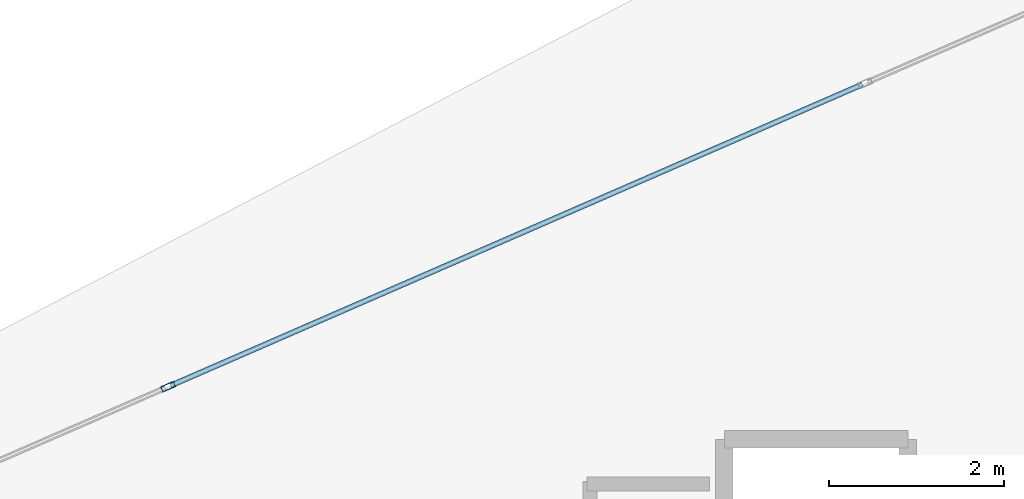
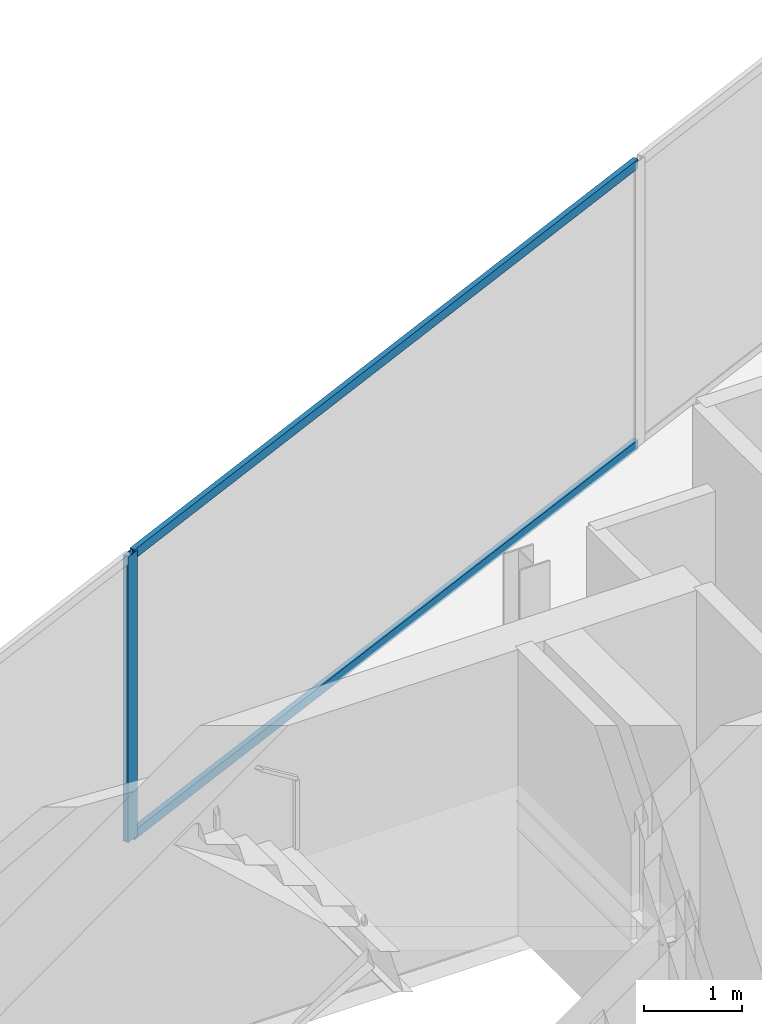
# One storey, part 10 of 14: 3 members, 1 element without a shape of its own.
"""IFC4 building model written with IfcOpenShell, lengths in metres."""

from ifc_helpers import new_model, si_unit, direction, frame, origin, origin_2d, place, context, subcontext, project, spatial, hollow_rectangle, extrude, material, layer, layer_set, material_profile, profile_set, type_object, element, aggregate, save


model = new_model("IFC4")

# Units and contexts
model_context = context("Model", 3, precision=1e-05, world=origin(), true_north=direction((0.0, 1.0)))
body_context = subcontext(model_context, "Body", "Model", "MODEL_VIEW")
ifc_project = project(units=[si_unit("LENGTHUNIT", "METRE"), si_unit("AREAUNIT", "SQUARE_METRE"), si_unit("VOLUMEUNIT", "CUBIC_METRE"), si_unit("PLANEANGLEUNIT", "RADIAN"), si_unit("MASSUNIT", "GRAM", prefix="KILO")], contexts=[model_context])

# Site, building, storey
site_placement = place(None, origin())
site = spatial("IfcSite", under=ifc_project, at=site_placement, CompositionType="ELEMENT")
building_placement = place(site_placement, origin())
building = spatial("IfcBuilding", under=site, at=building_placement, Name="Qianvela Tower", CompositionType="ELEMENT")
storey_placement = place(building_placement, frame((0.0, 0.0, 356.300048828125)))
storey = spatial("IfcBuildingStorey", under=building, at=storey_placement, Name="L92", CompositionType="ELEMENT", Elevation=356.300048828125)

# Curtain wall, members
ifc_material_1 = material(Name="Anodised Architectural Aluminium and Low-E Glass", Category="aluminium")
ifc_layer = layer(ifc_material_1, 0.159912109375)
ifc_layer_set = layer_set([ifc_layer], Name="Anodised Architectural Aluminium and Low-E Glass")
curtain_wall_type = type_object("IfcCurtainWallType", Name="CW-CROWN", PredefinedType="USERDEFINED", material=ifc_layer_set)
curtain_wall_placement = place(storey_placement, origin())
curtain_wall = element("IfcCurtainWall", 1, at=curtain_wall_placement, inside=storey, type_object=curtain_wall_type, Name="L92 CW-CROWN Curtain Wall 02", ObjectType="CURTAIN_WALL_SYSTEM", PredefinedType="USERDEFINED")
ifc_material_2 = material(Name="Anodised Architectural Aluminium 6063-T6", Category="aluminium")
ifc_material_profile_1 = material_profile(ifc_material_2, hollow_rectangle(XDim=0.06494140625, YDim=0.159912109375, WallThickness=0.0048828125, at=origin_2d()), Name="ALU-MULL-65x160")
ifc_profile_set_1 = profile_set([ifc_material_profile_1], Name="Anodised Architectural Aluminium 6063-T6")
member_type_1 = type_object("IfcMemberType", Name="CW-CROWN-MULL", PredefinedType="MULLION", material=ifc_profile_set_1)
member_1_placement = place(storey_placement, frame((35.08740234375, 35.8828125, 0.0), z_axis=(0.0, 0.0, 1.0), x_axis=(0.399215073165, -0.916857309159, 0.0)))
member_1 = element("IfcMember", 2, at=member_1_placement, type_object=member_type_1, Name="CW-8 mullion 3", PredefinedType="MULLION", context=body_context, shape_type="SweptSolid", body=[
    extrude(hollow_rectangle(XDim=0.06494140625, YDim=0.159912109375, WallThickness=0.0048828125, at=origin_2d()), origin(), (0.0, 0.0, 1.0), 3.550048828125),
])
ifc_material_3 = material(Name="Anodised Architectural Aluminium 6063-T6", Category="aluminium")
ifc_material_profile_2 = material_profile(ifc_material_3, hollow_rectangle(XDim=0.06005859375, YDim=0.114990234375, WallThickness=0.00390625, at=origin_2d()), Name="ALU-TRAN-60x115")
ifc_profile_set_2 = profile_set([ifc_material_profile_2], Name="Anodised Architectural Aluminium 6063-T6")
member_type_2 = type_object("IfcMemberType", Name="CW-CROWN-TRAN", PredefinedType="USERDEFINED", material=ifc_profile_set_2)
member_2_placement = place(storey_placement, frame((43.029052734375, 39.3408203125, 0.030029296875), z_axis=(-0.916852671416, -0.399225724268, 0.0), x_axis=(0.399225724268, -0.916852671416, 0.0)))
member_2 = element("IfcMember", 3, at=member_2_placement, type_object=member_type_2, Name="CW-8 transom 2.1", ObjectType="TRANSOM", PredefinedType="USERDEFINED", context=body_context, shape_type="SweptSolid", body=[
    extrude(hollow_rectangle(XDim=0.06005859375, YDim=0.114990234375, WallThickness=0.00390625, at=origin_2d()), origin(), (0.0, 0.0, 1.0), 8.62939453125),
])
member_3_placement = place(storey_placement, frame((43.029052734375, 39.3408203125, 3.52001953125), z_axis=(-0.916852671416, -0.399225724268, 0.0), x_axis=(0.399225724268, -0.916852671416, 0.0)))
member_3 = element("IfcMember", 4, at=member_3_placement, type_object=member_type_2, Name="CW-8 transom 2.2", ObjectType="TRANSOM", PredefinedType="USERDEFINED", context=body_context, shape_type="SweptSolid", body=[
    extrude(hollow_rectangle(XDim=0.06005859375, YDim=0.114990234375, WallThickness=0.00390625, at=origin_2d()), origin(), (0.0, 0.0, 1.0), 8.62939453125),
])
aggregate(curtain_wall, [member_1, member_2, member_3])

save(model, "model.ifc")
